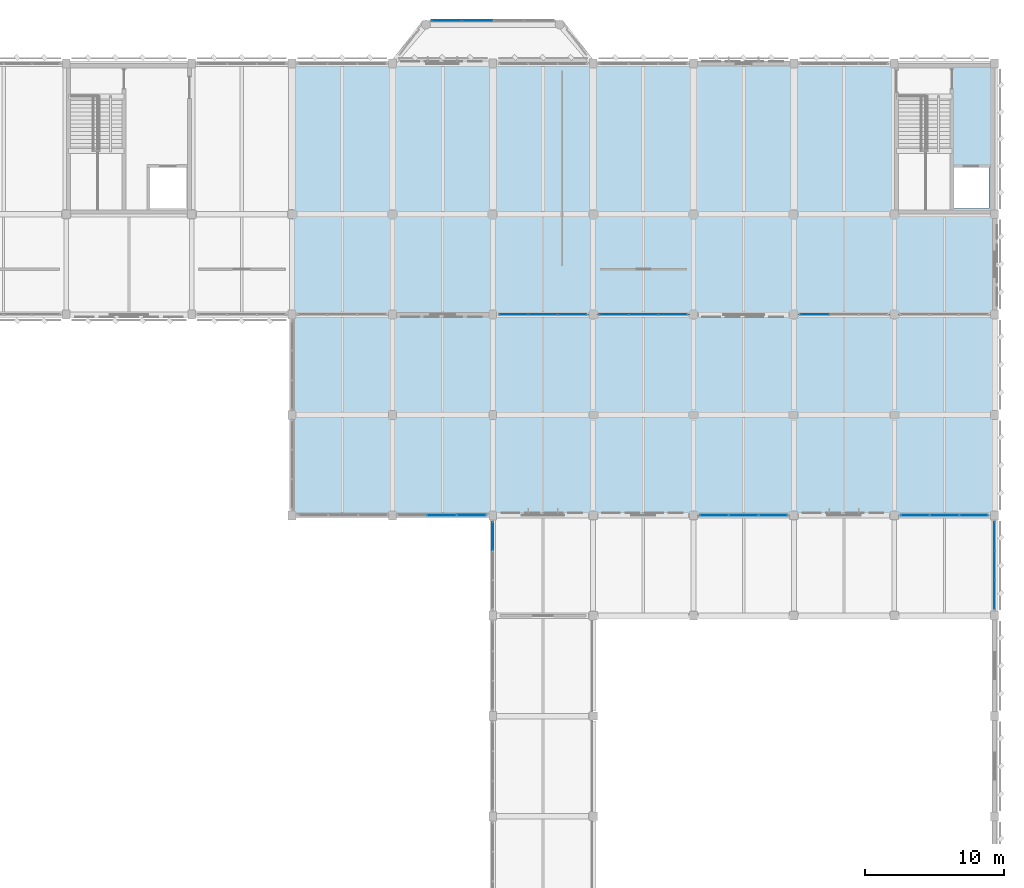
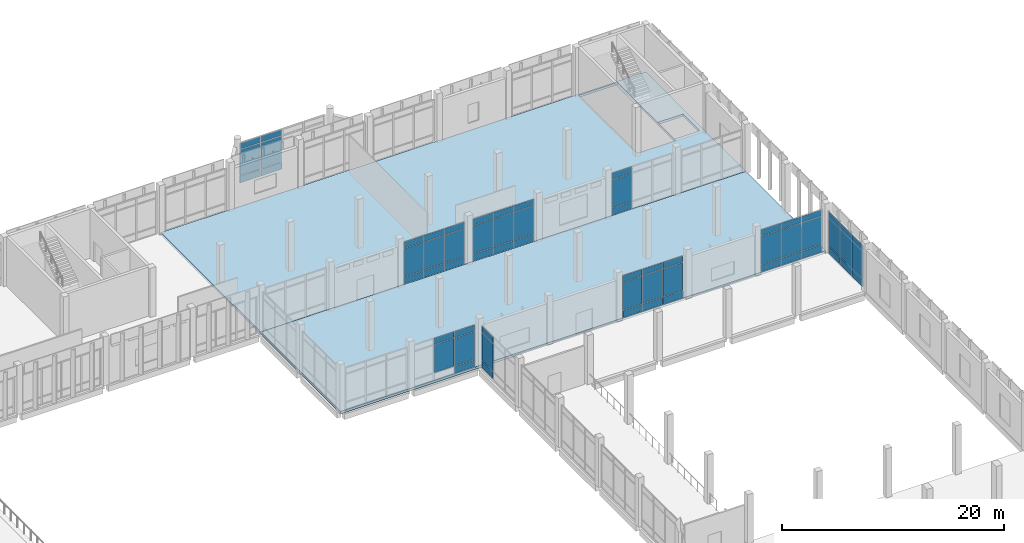
# One storey, part 151 of 180: 62 plates, 2 slabs, 9 elements without a shape of their own.
"""IFC4 building model written with IfcOpenShell, lengths in metres."""

from ifc_helpers import new_model, si_unit, direction, frame, origin, origin_2d, place, context, subcontext, project, spatial, polyline, rectangle, outline, extrude, material, layer, layer_set, type_object, element, aggregate, save


model = new_model("IFC4")

# Units and contexts
model_context = context("Model", 3, precision=1e-05, world=origin(), true_north=direction((0.0, 1.0)))
body_context = subcontext(model_context, "Body", "Model", "MODEL_VIEW")
ifc_project = project(units=[si_unit("LENGTHUNIT", "METRE"), si_unit("AREAUNIT", "SQUARE_METRE"), si_unit("VOLUMEUNIT", "CUBIC_METRE"), si_unit("PLANEANGLEUNIT", "RADIAN"), si_unit("MASSUNIT", "GRAM", prefix="KILO")], contexts=[model_context])

# Site, building, storey
site_placement = place(None, origin())
site = spatial("IfcSite", under=ifc_project, at=site_placement, CompositionType="ELEMENT")
building_placement = place(site_placement, origin())
building = spatial("IfcBuilding", under=site, at=building_placement, Name="Lusvemor Sports Hall", CompositionType="ELEMENT")
storey_placement = place(building_placement, frame((0.0, 0.0, 5.39990234375)))
storey = spatial("IfcBuildingStorey", under=building, at=storey_placement, Name="L01", CompositionType="ELEMENT", Elevation=5.39990234375)

# Curtain wall, plates
ifc_material_1 = material(Name="Thermally broken bronze-anodized aluminium", Category="aluminium")
curtain_wall_type_1 = type_object("IfcCurtainWallType", Name="CW_WING_B", PredefinedType="NOTDEFINED", material=ifc_material_1)
curtain_wall_1_placement = place(storey_placement, origin())
curtain_wall_1 = element("IfcCurtainWall", 1, at=curtain_wall_1_placement, inside=storey, type_object=curtain_wall_type_1, Name="Curtain Wall CW-L01-S-3-12", PredefinedType="NOTDEFINED")
ifc_material_2 = material(Name="Solar-control laminated double glazing", Category="glass")
ifc_layer_1 = layer(ifc_material_2, 0.028076171875)
ifc_layer_set_1 = layer_set([ifc_layer_1], Name="Solar-control laminated double glazing")
plate_type_1 = type_object("IfcPlateType", Name="CW_PAN_GLZ_28", PredefinedType="CURTAIN_PANEL", material=ifc_layer_set_1)
plate_1_placement = place(storey_placement, frame((138.90380859375, 97.199951171875, 0.880126953125), z_axis=(0.0, 0.0, 1.0), x_axis=(-1.0, 0.0, 0.0)))
plate_1 = element("IfcPlate", 2, at=plate_1_placement, type_object=plate_type_1, Name="CW02 panel 1.2", PredefinedType="CURTAIN_PANEL", context=body_context, shape_type="SweptSolid", body=[
    extrude(rectangle(XDim=2.0224609375, YDim=0.028076171875, at=origin_2d()), origin(), (0.0, 0.0, 1.0), 3.06005859375),
])
plate_2_placement = place(storey_placement, frame((138.90380859375, 97.199951171875, 4.0), z_axis=(0.0, 0.0, 1.0), x_axis=(-1.0, 0.0, 0.0)))
plate_2 = element("IfcPlate", 3, at=plate_2_placement, type_object=plate_type_1, Name="CW02 panel 1.3", PredefinedType="CURTAIN_PANEL", context=body_context, shape_type="SweptSolid", body=[
    extrude(rectangle(XDim=2.0224609375, YDim=0.028076171875, at=origin_2d()), origin(), (0.0, 0.0, 1.0), 0.659912109375),
])
plate_3_placement = place(storey_placement, frame((136.800048828125, 97.199951171875, 0.880126953125), z_axis=(0.0, 0.0, 1.0), x_axis=(-1.0, 0.0, 0.0)))
plate_3 = element("IfcPlate", 4, at=plate_3_placement, type_object=plate_type_1, Name="CW02 panel 2.2", PredefinedType="CURTAIN_PANEL", context=body_context, shape_type="SweptSolid", body=[
    extrude(rectangle(XDim=2.054931640625, YDim=0.028076171875, at=origin_2d()), origin(), (0.0, 0.0, 1.0), 3.06005859375),
])
plate_4_placement = place(storey_placement, frame((136.800048828125, 97.199951171875, 4.0), z_axis=(0.0, 0.0, 1.0), x_axis=(-1.0, 0.0, 0.0)))
plate_4 = element("IfcPlate", 5, at=plate_4_placement, type_object=plate_type_1, Name="CW02 panel 2.3", PredefinedType="CURTAIN_PANEL", context=body_context, shape_type="SweptSolid", body=[
    extrude(rectangle(XDim=2.054931640625, YDim=0.028076171875, at=origin_2d()), origin(), (0.0, 0.0, 1.0), 0.659912109375),
])
plate_5_placement = place(storey_placement, frame((134.6962890625, 97.199951171875, 0.880126953125), z_axis=(0.0, 0.0, 1.0), x_axis=(-1.0, 0.0, 0.0)))
plate_5 = element("IfcPlate", 6, at=plate_5_placement, type_object=plate_type_1, Name="CW02 panel 3.2", PredefinedType="CURTAIN_PANEL", context=body_context, shape_type="SweptSolid", body=[
    extrude(rectangle(XDim=2.0224609375, YDim=0.028076171875, at=origin_2d()), origin(), (0.0, 0.0, 1.0), 3.06005859375),
])
plate_6_placement = place(storey_placement, frame((134.6962890625, 97.199951171875, 4.0), z_axis=(0.0, 0.0, 1.0), x_axis=(-1.0, 0.0, 0.0)))
plate_6 = element("IfcPlate", 7, at=plate_6_placement, type_object=plate_type_1, Name="CW02 panel 3.3", PredefinedType="CURTAIN_PANEL", context=body_context, shape_type="SweptSolid", body=[
    extrude(rectangle(XDim=2.0224609375, YDim=0.028076171875, at=origin_2d()), origin(), (0.0, 0.0, 1.0), 0.659912109375),
])

curtain_wall_2_placement = place(storey_placement, origin())
curtain_wall_2 = element("IfcCurtainWall", 8, at=curtain_wall_2_placement, inside=storey, type_object=curtain_wall_type_1, Name="Curtain Wall CW-L01-S-3-13", PredefinedType="NOTDEFINED")
plate_7_placement = place(storey_placement, frame((146.103759765625, 97.199951171875, 0.880126953125), z_axis=(0.0, 0.0, 1.0), x_axis=(-1.0, 0.0, 0.0)))
plate_7 = element("IfcPlate", 9, at=plate_7_placement, type_object=plate_type_1, Name="CW02 panel 1.2", PredefinedType="CURTAIN_PANEL", context=body_context, shape_type="SweptSolid", body=[
    extrude(rectangle(XDim=2.0224609375, YDim=0.028076171875, at=origin_2d()), origin(), (0.0, 0.0, 1.0), 3.06005859375),
])
plate_8_placement = place(storey_placement, frame((146.103759765625, 97.199951171875, 4.0), z_axis=(0.0, 0.0, 1.0), x_axis=(-1.0, 0.0, 0.0)))
plate_8 = element("IfcPlate", 10, at=plate_8_placement, type_object=plate_type_1, Name="CW02 panel 1.3", PredefinedType="CURTAIN_PANEL", context=body_context, shape_type="SweptSolid", body=[
    extrude(rectangle(XDim=2.0224609375, YDim=0.028076171875, at=origin_2d()), origin(), (0.0, 0.0, 1.0), 0.659912109375),
])
plate_9_placement = place(storey_placement, frame((144.0, 97.199951171875, 0.880126953125), z_axis=(0.0, 0.0, 1.0), x_axis=(-1.0, 0.0, 0.0)))
plate_9 = element("IfcPlate", 11, at=plate_9_placement, type_object=plate_type_1, Name="CW02 panel 2.2", PredefinedType="CURTAIN_PANEL", context=body_context, shape_type="SweptSolid", body=[
    extrude(rectangle(XDim=2.054931640625, YDim=0.028076171875, at=origin_2d()), origin(), (0.0, 0.0, 1.0), 3.06005859375),
])
plate_10_placement = place(storey_placement, frame((144.0, 97.199951171875, 4.0), z_axis=(0.0, 0.0, 1.0), x_axis=(-1.0, 0.0, 0.0)))
plate_10 = element("IfcPlate", 12, at=plate_10_placement, type_object=plate_type_1, Name="CW02 panel 2.3", PredefinedType="CURTAIN_PANEL", context=body_context, shape_type="SweptSolid", body=[
    extrude(rectangle(XDim=2.054931640625, YDim=0.028076171875, at=origin_2d()), origin(), (0.0, 0.0, 1.0), 0.659912109375),
])
plate_11_placement = place(storey_placement, frame((141.896240234375, 97.199951171875, 0.880126953125), z_axis=(0.0, 0.0, 1.0), x_axis=(-1.0, 0.0, 0.0)))
plate_11 = element("IfcPlate", 13, at=plate_11_placement, type_object=plate_type_1, Name="CW02 panel 3.2", PredefinedType="CURTAIN_PANEL", context=body_context, shape_type="SweptSolid", body=[
    extrude(rectangle(XDim=2.0224609375, YDim=0.028076171875, at=origin_2d()), origin(), (0.0, 0.0, 1.0), 3.06005859375),
])
plate_12_placement = place(storey_placement, frame((141.896240234375, 97.199951171875, 4.0), z_axis=(0.0, 0.0, 1.0), x_axis=(-1.0, 0.0, 0.0)))
plate_12 = element("IfcPlate", 14, at=plate_12_placement, type_object=plate_type_1, Name="CW02 panel 3.3", PredefinedType="CURTAIN_PANEL", context=body_context, shape_type="SweptSolid", body=[
    extrude(rectangle(XDim=2.0224609375, YDim=0.028076171875, at=origin_2d()), origin(), (0.0, 0.0, 1.0), 0.659912109375),
])

curtain_wall_3_placement = place(storey_placement, origin())
curtain_wall_3 = element("IfcCurtainWall", 15, at=curtain_wall_3_placement, inside=storey, type_object=curtain_wall_type_1, Name="Curtain Wall CW-L01-S-3-15", PredefinedType="NOTDEFINED")
plate_13_placement = place(storey_placement, frame((156.296142578125, 97.199951171875, 0.880126953125), z_axis=(0.0, 0.0, 1.0), x_axis=(-1.0, 0.0, 0.0)))
plate_13 = element("IfcPlate", 16, at=plate_13_placement, type_object=plate_type_1, Name="CW02 panel 3.2", PredefinedType="CURTAIN_PANEL", context=body_context, shape_type="SweptSolid", body=[
    extrude(rectangle(XDim=2.0224609375, YDim=0.028076171875, at=origin_2d()), origin(), (0.0, 0.0, 1.0), 3.06005859375),
])
plate_14_placement = place(storey_placement, frame((156.296142578125, 97.199951171875, 4.0), z_axis=(0.0, 0.0, 1.0), x_axis=(-1.0, 0.0, 0.0)))
plate_14 = element("IfcPlate", 17, at=plate_14_placement, type_object=plate_type_1, Name="CW02 panel 3.3", PredefinedType="CURTAIN_PANEL", context=body_context, shape_type="SweptSolid", body=[
    extrude(rectangle(XDim=2.0224609375, YDim=0.028076171875, at=origin_2d()), origin(), (0.0, 0.0, 1.0), 0.659912109375),
])

curtain_wall_4_placement = place(storey_placement, origin())
curtain_wall_4 = element("IfcCurtainWall", 18, at=curtain_wall_4_placement, inside=storey, type_object=curtain_wall_type_1, Name="Curtain Wall CW-L01-N-5-2", PredefinedType="NOTDEFINED")
plate_15_placement = place(storey_placement, frame((149.09619140625, 82.800048828125, 0.880126953125), z_axis=(0.0, 0.0, 1.0), x_axis=(1.0, 0.0, 0.0)))
plate_15 = element("IfcPlate", 19, at=plate_15_placement, type_object=plate_type_1, Name="CW02 panel 1.2", PredefinedType="CURTAIN_PANEL", context=body_context, shape_type="SweptSolid", body=[
    extrude(rectangle(XDim=2.0224609375, YDim=0.028076171875, at=origin_2d()), origin(), (0.0, 0.0, 1.0), 3.06005859375),
])
plate_16_placement = place(storey_placement, frame((149.09619140625, 82.800048828125, 4.0), z_axis=(0.0, 0.0, 1.0), x_axis=(1.0, 0.0, 0.0)))
plate_16 = element("IfcPlate", 20, at=plate_16_placement, type_object=plate_type_1, Name="CW02 panel 1.3", PredefinedType="CURTAIN_PANEL", context=body_context, shape_type="SweptSolid", body=[
    extrude(rectangle(XDim=2.0224609375, YDim=0.028076171875, at=origin_2d()), origin(), (0.0, 0.0, 1.0), 0.659912109375),
])
plate_17_placement = place(storey_placement, frame((151.199951171875, 82.800048828125, 0.880126953125), z_axis=(0.0, 0.0, 1.0), x_axis=(1.0, 0.0, 0.0)))
plate_17 = element("IfcPlate", 21, at=plate_17_placement, type_object=plate_type_1, Name="CW02 panel 2.2", PredefinedType="CURTAIN_PANEL", context=body_context, shape_type="SweptSolid", body=[
    extrude(rectangle(XDim=2.054931640625, YDim=0.028076171875, at=origin_2d()), origin(), (0.0, 0.0, 1.0), 3.06005859375),
])
plate_18_placement = place(storey_placement, frame((151.199951171875, 82.800048828125, 4.0), z_axis=(0.0, 0.0, 1.0), x_axis=(1.0, 0.0, 0.0)))
plate_18 = element("IfcPlate", 22, at=plate_18_placement, type_object=plate_type_1, Name="CW02 panel 2.3", PredefinedType="CURTAIN_PANEL", context=body_context, shape_type="SweptSolid", body=[
    extrude(rectangle(XDim=2.054931640625, YDim=0.028076171875, at=origin_2d()), origin(), (0.0, 0.0, 1.0), 0.659912109375),
])
plate_19_placement = place(storey_placement, frame((153.3037109375, 82.800048828125, 0.880126953125), z_axis=(0.0, 0.0, 1.0), x_axis=(1.0, 0.0, 0.0)))
plate_19 = element("IfcPlate", 23, at=plate_19_placement, type_object=plate_type_1, Name="CW02 panel 3.2", PredefinedType="CURTAIN_PANEL", context=body_context, shape_type="SweptSolid", body=[
    extrude(rectangle(XDim=2.0224609375, YDim=0.028076171875, at=origin_2d()), origin(), (0.0, 0.0, 1.0), 3.06005859375),
])
plate_20_placement = place(storey_placement, frame((153.3037109375, 82.800048828125, 4.0), z_axis=(0.0, 0.0, 1.0), x_axis=(1.0, 0.0, 0.0)))
plate_20 = element("IfcPlate", 24, at=plate_20_placement, type_object=plate_type_1, Name="CW02 panel 3.3", PredefinedType="CURTAIN_PANEL", context=body_context, shape_type="SweptSolid", body=[
    extrude(rectangle(XDim=2.0224609375, YDim=0.028076171875, at=origin_2d()), origin(), (0.0, 0.0, 1.0), 0.659912109375),
])

curtain_wall_5_placement = place(storey_placement, origin())
curtain_wall_5 = element("IfcCurtainWall", 25, at=curtain_wall_5_placement, inside=storey, type_object=curtain_wall_type_1, Name="Curtain Wall CW-L01-N-5-4", PredefinedType="NOTDEFINED")
plate_21_placement = place(storey_placement, frame((163.496337890625, 82.800048828125, 0.880126953125), z_axis=(0.0, 0.0, 1.0), x_axis=(1.0, 0.0, 0.0)))
plate_21 = element("IfcPlate", 26, at=plate_21_placement, type_object=plate_type_1, Name="CW02 panel 1.2", PredefinedType="CURTAIN_PANEL", context=body_context, shape_type="SweptSolid", body=[
    extrude(rectangle(XDim=2.0224609375, YDim=0.028076171875, at=origin_2d()), origin(), (0.0, 0.0, 1.0), 3.06005859375),
])
plate_22_placement = place(storey_placement, frame((163.496337890625, 82.800048828125, 4.0), z_axis=(0.0, 0.0, 1.0), x_axis=(1.0, 0.0, 0.0)))
plate_22 = element("IfcPlate", 27, at=plate_22_placement, type_object=plate_type_1, Name="CW02 panel 1.3", PredefinedType="CURTAIN_PANEL", context=body_context, shape_type="SweptSolid", body=[
    extrude(rectangle(XDim=2.0224609375, YDim=0.028076171875, at=origin_2d()), origin(), (0.0, 0.0, 1.0), 0.659912109375),
])
plate_23_placement = place(storey_placement, frame((165.60009765625, 82.800048828125, 0.880126953125), z_axis=(0.0, 0.0, 1.0), x_axis=(1.0, 0.0, 0.0)))
plate_23 = element("IfcPlate", 28, at=plate_23_placement, type_object=plate_type_1, Name="CW02 panel 2.2", PredefinedType="CURTAIN_PANEL", context=body_context, shape_type="SweptSolid", body=[
    extrude(rectangle(XDim=2.054931640625, YDim=0.028076171875, at=origin_2d()), origin(), (0.0, 0.0, 1.0), 3.06005859375),
])
plate_24_placement = place(storey_placement, frame((165.60009765625, 82.800048828125, 4.0), z_axis=(0.0, 0.0, 1.0), x_axis=(1.0, 0.0, 0.0)))
plate_24 = element("IfcPlate", 29, at=plate_24_placement, type_object=plate_type_1, Name="CW02 panel 2.3", PredefinedType="CURTAIN_PANEL", context=body_context, shape_type="SweptSolid", body=[
    extrude(rectangle(XDim=2.054931640625, YDim=0.028076171875, at=origin_2d()), origin(), (0.0, 0.0, 1.0), 0.659912109375),
])
plate_25_placement = place(storey_placement, frame((167.703857421875, 82.800048828125, 0.880126953125), z_axis=(0.0, 0.0, 1.0), x_axis=(1.0, 0.0, 0.0)))
plate_25 = element("IfcPlate", 30, at=plate_25_placement, type_object=plate_type_1, Name="CW02 panel 3.2", PredefinedType="CURTAIN_PANEL", context=body_context, shape_type="SweptSolid", body=[
    extrude(rectangle(XDim=2.0224609375, YDim=0.028076171875, at=origin_2d()), origin(), (0.0, 0.0, 1.0), 3.06005859375),
])
plate_26_placement = place(storey_placement, frame((167.703857421875, 82.800048828125, 4.0), z_axis=(0.0, 0.0, 1.0), x_axis=(1.0, 0.0, 0.0)))
plate_26 = element("IfcPlate", 31, at=plate_26_placement, type_object=plate_type_1, Name="CW02 panel 3.3", PredefinedType="CURTAIN_PANEL", context=body_context, shape_type="SweptSolid", body=[
    extrude(rectangle(XDim=2.0224609375, YDim=0.028076171875, at=origin_2d()), origin(), (0.0, 0.0, 1.0), 0.659912109375),
])

ifc_material_3 = material(Name="Thermally broken bronze-anodized aluminium", Category="aluminium")
curtain_wall_type_2 = type_object("IfcCurtainWallType", Name="CW_PASSAGE_E", PredefinedType="NOTDEFINED", material=ifc_material_3)
curtain_wall_6_placement = place(storey_placement, origin())
curtain_wall_6 = element("IfcCurtainWall", 32, at=curtain_wall_6_placement, inside=storey, type_object=curtain_wall_type_2, Name="Curtain Wall CW-NLINK-133-L01", PredefinedType="NOTDEFINED")
plate_27_placement = place(storey_placement, frame((133.199951171875, 81.29052734375, 0.880126953125), z_axis=(0.0, 0.0, 1.0), x_axis=(0.0, 1.0, 0.0)))
plate_27 = element("IfcPlate", 33, at=plate_27_placement, type_object=plate_type_1, Name="CW05 panel 3.2", PredefinedType="CURTAIN_PANEL", context=body_context, shape_type="SweptSolid", body=[
    extrude(rectangle(XDim=2.00927734375, YDim=0.028076171875, at=origin_2d()), origin(), (0.0, 0.0, 1.0), 3.0400390625),
])
plate_28_placement = place(storey_placement, frame((133.199951171875, 81.29052734375, 3.97998046875), z_axis=(0.0, 0.0, 1.0), x_axis=(0.0, 1.0, 0.0)))
plate_28 = element("IfcPlate", 34, at=plate_28_placement, type_object=plate_type_1, Name="CW05 panel 3.3", PredefinedType="CURTAIN_PANEL", context=body_context, shape_type="SweptSolid", body=[
    extrude(rectangle(XDim=2.00927734375, YDim=0.028076171875, at=origin_2d()), origin(), (0.0, 0.0, 1.0), 0.659912109375),
])

curtain_wall_7_placement = place(storey_placement, origin())
curtain_wall_7 = element("IfcCurtainWall", 35, at=curtain_wall_7_placement, inside=storey, type_object=curtain_wall_type_2, Name="Curtain Wall CW-NLINK-169-L01", PredefinedType="NOTDEFINED")
plate_29_placement = place(storey_placement, frame((169.199951171875, 77.109619140625, 0.880126953125), z_axis=(0.0, 0.0, 1.0), x_axis=(0.0, 1.0, 0.0)))
plate_29 = element("IfcPlate", 36, at=plate_29_placement, type_object=plate_type_1, Name="CW05 panel 1.2", PredefinedType="CURTAIN_PANEL", context=body_context, shape_type="SweptSolid", body=[
    extrude(rectangle(XDim=2.00927734375, YDim=0.028076171875, at=origin_2d()), origin(), (0.0, 0.0, 1.0), 3.0400390625),
])
plate_30_placement = place(storey_placement, frame((169.199951171875, 77.109619140625, 3.97998046875), z_axis=(0.0, 0.0, 1.0), x_axis=(0.0, 1.0, 0.0)))
plate_30 = element("IfcPlate", 37, at=plate_30_placement, type_object=plate_type_1, Name="CW05 panel 1.3", PredefinedType="CURTAIN_PANEL", context=body_context, shape_type="SweptSolid", body=[
    extrude(rectangle(XDim=2.00927734375, YDim=0.028076171875, at=origin_2d()), origin(), (0.0, 0.0, 1.0), 0.659912109375),
])
plate_31_placement = place(storey_placement, frame((169.199951171875, 79.199951171875, 0.880126953125), z_axis=(0.0, 0.0, 1.0), x_axis=(0.0, 1.0, 0.0)))
plate_31 = element("IfcPlate", 38, at=plate_31_placement, type_object=plate_type_1, Name="CW05 panel 2.2", PredefinedType="CURTAIN_PANEL", context=body_context, shape_type="SweptSolid", body=[
    extrude(rectangle(XDim=2.041748046875, YDim=0.028076171875, at=origin_2d()), origin(), (0.0, 0.0, 1.0), 3.0400390625),
])
plate_32_placement = place(storey_placement, frame((169.199951171875, 79.199951171875, 3.97998046875), z_axis=(0.0, 0.0, 1.0), x_axis=(0.0, 1.0, 0.0)))
plate_32 = element("IfcPlate", 39, at=plate_32_placement, type_object=plate_type_1, Name="CW05 panel 2.3", PredefinedType="CURTAIN_PANEL", context=body_context, shape_type="SweptSolid", body=[
    extrude(rectangle(XDim=2.041748046875, YDim=0.028076171875, at=origin_2d()), origin(), (0.0, 0.0, 1.0), 0.659912109375),
])
plate_33_placement = place(storey_placement, frame((169.199951171875, 81.29052734375, 0.880126953125), z_axis=(0.0, 0.0, 1.0), x_axis=(0.0, 1.0, 0.0)))
plate_33 = element("IfcPlate", 40, at=plate_33_placement, type_object=plate_type_1, Name="CW05 panel 3.2", PredefinedType="CURTAIN_PANEL", context=body_context, shape_type="SweptSolid", body=[
    extrude(rectangle(XDim=2.00927734375, YDim=0.028076171875, at=origin_2d()), origin(), (0.0, 0.0, 1.0), 3.0400390625),
])
plate_34_placement = place(storey_placement, frame((169.199951171875, 81.29052734375, 3.97998046875), z_axis=(0.0, 0.0, 1.0), x_axis=(0.0, 1.0, 0.0)))
plate_34 = element("IfcPlate", 41, at=plate_34_placement, type_object=plate_type_1, Name="CW05 panel 3.3", PredefinedType="CURTAIN_PANEL", context=body_context, shape_type="SweptSolid", body=[
    extrude(rectangle(XDim=2.00927734375, YDim=0.028076171875, at=origin_2d()), origin(), (0.0, 0.0, 1.0), 0.659912109375),
])

ifc_material_4 = material(Name="Thermally broken bronze-anodized aluminium", Category="aluminium")
curtain_wall_type_3 = type_object("IfcCurtainWallType", Name="CW_FOYER_A", PredefinedType="NOTDEFINED", material=ifc_material_4)
curtain_wall_8_placement = place(storey_placement, origin())
curtain_wall_8 = element("IfcCurtainWall", 42, at=curtain_wall_8_placement, inside=storey, type_object=curtain_wall_type_3, Name="Curtain Wall CW-BOW-N3-L01-M", PredefinedType="NOTDEFINED")
plate_35_placement = place(storey_placement, frame((129.8798828125, 118.300048828125, 0.882568359375), z_axis=(0.0, 0.0, 1.0), x_axis=(1.0, 0.0, 0.0)))
plate_35 = element("IfcPlate", 43, at=plate_35_placement, type_object=plate_type_1, Name="CW01 panel 1.2", PredefinedType="CURTAIN_PANEL", context=body_context, shape_type="SweptSolid", body=[
    extrude(rectangle(XDim=2.1201171875, YDim=0.028076171875, at=origin_2d()), origin(), (0.0, 0.0, 1.0), 2.81494140625),
])
plate_36_placement = place(storey_placement, frame((129.8798828125, 118.300048828125, 3.7626953125), z_axis=(0.0, 0.0, 1.0), x_axis=(1.0, 0.0, 0.0)))
plate_36 = element("IfcPlate", 44, at=plate_36_placement, type_object=plate_type_1, Name="CW01 panel 1.3", PredefinedType="CURTAIN_PANEL", context=body_context, shape_type="SweptSolid", body=[
    extrude(rectangle(XDim=2.1201171875, YDim=0.028076171875, at=origin_2d()), origin(), (0.0, 0.0, 1.0), 0.652587890625),
])
plate_37_placement = place(storey_placement, frame((132.08740234375, 118.300048828125, 0.882568359375), z_axis=(0.0, 0.0, 1.0), x_axis=(1.0, 0.0, 0.0)))
plate_37 = element("IfcPlate", 45, at=plate_37_placement, type_object=plate_type_1, Name="CW01 panel 2.2", PredefinedType="CURTAIN_PANEL", context=body_context, shape_type="SweptSolid", body=[
    extrude(rectangle(XDim=2.155029296875, YDim=0.028076171875, at=origin_2d()), origin(), (0.0, 0.0, 1.0), 2.81494140625),
])
plate_38_placement = place(storey_placement, frame((132.08740234375, 118.300048828125, 3.7626953125), z_axis=(0.0, 0.0, 1.0), x_axis=(1.0, 0.0, 0.0)))
plate_38 = element("IfcPlate", 46, at=plate_38_placement, type_object=plate_type_1, Name="CW01 panel 2.3", PredefinedType="CURTAIN_PANEL", context=body_context, shape_type="SweptSolid", body=[
    extrude(rectangle(XDim=2.155029296875, YDim=0.028076171875, at=origin_2d()), origin(), (0.0, 0.0, 1.0), 0.652587890625),
])

curtain_wall_9_placement = place(storey_placement, origin())
curtain_wall_9 = element("IfcCurtainWall", 47, at=curtain_wall_9_placement, inside=storey, type_object=curtain_wall_type_1, Name="Curtain Wall CW-V5NE-S-L01-A", PredefinedType="NOTDEFINED")
plate_39_placement = place(storey_placement, frame((131.668701171875, 82.800048828125, 0.880126953125), z_axis=(0.0, 0.0, 1.0), x_axis=(-1.0, 0.0, 0.0)))
plate_39 = element("IfcPlate", 48, at=plate_39_placement, type_object=plate_type_1, Name="CW02 panel 1.2", PredefinedType="CURTAIN_PANEL", context=body_context, shape_type="SweptSolid", body=[
    extrude(rectangle(XDim=2.052490234375, YDim=0.028076171875, at=origin_2d()), origin(), (0.0, 0.0, 1.0), 3.0400390625),
])
plate_40_placement = place(storey_placement, frame((131.668701171875, 82.800048828125, 3.97998046875), z_axis=(0.0, 0.0, 1.0), x_axis=(-1.0, 0.0, 0.0)))
plate_40 = element("IfcPlate", 49, at=plate_40_placement, type_object=plate_type_1, Name="CW02 panel 1.3", PredefinedType="CURTAIN_PANEL", context=body_context, shape_type="SweptSolid", body=[
    extrude(rectangle(XDim=2.052490234375, YDim=0.028076171875, at=origin_2d()), origin(), (0.0, 0.0, 1.0), 0.659912109375),
])
plate_41_placement = place(storey_placement, frame((129.534912109375, 82.800048828125, 0.880126953125), z_axis=(0.0, 0.0, 1.0), x_axis=(-1.0, 0.0, 0.0)))
plate_41 = element("IfcPlate", 50, at=plate_41_placement, type_object=plate_type_1, Name="CW02 panel 2.2", PredefinedType="CURTAIN_PANEL", context=body_context, shape_type="SweptSolid", body=[
    extrude(rectangle(XDim=2.0849609375, YDim=0.028076171875, at=origin_2d()), origin(), (0.0, 0.0, 1.0), 3.0400390625),
])
plate_42_placement = place(storey_placement, frame((129.534912109375, 82.800048828125, 3.97998046875), z_axis=(0.0, 0.0, 1.0), x_axis=(-1.0, 0.0, 0.0)))
plate_42 = element("IfcPlate", 51, at=plate_42_placement, type_object=plate_type_1, Name="CW02 panel 2.3", PredefinedType="CURTAIN_PANEL", context=body_context, shape_type="SweptSolid", body=[
    extrude(rectangle(XDim=2.0849609375, YDim=0.028076171875, at=origin_2d()), origin(), (0.0, 0.0, 1.0), 0.659912109375),
])

# Plate
ifc_material_5 = material(Name="Emerald polychrome glazed ceramic cladding on Concrete C40/50 backing", Category="concrete")
ifc_layer_2 = layer(ifc_material_5, 0.048095703125)
ifc_layer_set_2 = layer_set([ifc_layer_2], Name="Emerald polychrome glazed ceramic cladding on Concrete C40/50 backing")
plate_type_2 = type_object("IfcPlateType", Name="CW_PAN_SPN_48", PredefinedType="CURTAIN_PANEL", material=ifc_layer_set_2)
plate_43_placement = place(storey_placement, frame((138.90380859375, 97.199951171875, 0.06005859375), z_axis=(0.0, 0.0, 1.0), x_axis=(-1.0, 0.0, 0.0)))
plate_43 = element("IfcPlate", 52, at=plate_43_placement, type_object=plate_type_2, Name="CW02 panel 1.1", PredefinedType="CURTAIN_PANEL", context=body_context, shape_type="SweptSolid", body=[
    extrude(rectangle(XDim=2.0224609375, YDim=0.048095703125, at=origin_2d()), origin(), (0.0, 0.0, 1.0), 0.760009765625),
])

plate_44_placement = place(storey_placement, frame((136.800048828125, 97.199951171875, 0.06005859375), z_axis=(0.0, 0.0, 1.0), x_axis=(-1.0, 0.0, 0.0)))
plate_44 = element("IfcPlate", 53, at=plate_44_placement, type_object=plate_type_2, Name="CW02 panel 2.1", PredefinedType="CURTAIN_PANEL", context=body_context, shape_type="SweptSolid", body=[
    extrude(rectangle(XDim=2.054931640625, YDim=0.048095703125, at=origin_2d()), origin(), (0.0, 0.0, 1.0), 0.760009765625),
])

plate_45_placement = place(storey_placement, frame((134.6962890625, 97.199951171875, 0.06005859375), z_axis=(0.0, 0.0, 1.0), x_axis=(-1.0, 0.0, 0.0)))
plate_45 = element("IfcPlate", 54, at=plate_45_placement, type_object=plate_type_2, Name="CW02 panel 3.1", PredefinedType="CURTAIN_PANEL", context=body_context, shape_type="SweptSolid", body=[
    extrude(rectangle(XDim=2.0224609375, YDim=0.048095703125, at=origin_2d()), origin(), (0.0, 0.0, 1.0), 0.760009765625),
])

aggregate(curtain_wall_1, [plate_43, plate_1, plate_2, plate_44, plate_3, plate_4, plate_45, plate_5, plate_6])

plate_46_placement = place(storey_placement, frame((146.103759765625, 97.199951171875, 0.06005859375), z_axis=(0.0, 0.0, 1.0), x_axis=(-1.0, 0.0, 0.0)))
plate_46 = element("IfcPlate", 55, at=plate_46_placement, type_object=plate_type_2, Name="CW02 panel 1.1", PredefinedType="CURTAIN_PANEL", context=body_context, shape_type="SweptSolid", body=[
    extrude(rectangle(XDim=2.0224609375, YDim=0.048095703125, at=origin_2d()), origin(), (0.0, 0.0, 1.0), 0.760009765625),
])

plate_47_placement = place(storey_placement, frame((144.0, 97.199951171875, 0.06005859375), z_axis=(0.0, 0.0, 1.0), x_axis=(-1.0, 0.0, 0.0)))
plate_47 = element("IfcPlate", 56, at=plate_47_placement, type_object=plate_type_2, Name="CW02 panel 2.1", PredefinedType="CURTAIN_PANEL", context=body_context, shape_type="SweptSolid", body=[
    extrude(rectangle(XDim=2.054931640625, YDim=0.048095703125, at=origin_2d()), origin(), (0.0, 0.0, 1.0), 0.760009765625),
])

plate_48_placement = place(storey_placement, frame((141.896240234375, 97.199951171875, 0.06005859375), z_axis=(0.0, 0.0, 1.0), x_axis=(-1.0, 0.0, 0.0)))
plate_48 = element("IfcPlate", 57, at=plate_48_placement, type_object=plate_type_2, Name="CW02 panel 3.1", PredefinedType="CURTAIN_PANEL", context=body_context, shape_type="SweptSolid", body=[
    extrude(rectangle(XDim=2.0224609375, YDim=0.048095703125, at=origin_2d()), origin(), (0.0, 0.0, 1.0), 0.760009765625),
])

aggregate(curtain_wall_2, [plate_46, plate_7, plate_8, plate_47, plate_9, plate_10, plate_48, plate_11, plate_12])

plate_49_placement = place(storey_placement, frame((156.296142578125, 97.199951171875, 0.06005859375), z_axis=(0.0, 0.0, 1.0), x_axis=(-1.0, 0.0, 0.0)))
plate_49 = element("IfcPlate", 58, at=plate_49_placement, type_object=plate_type_2, Name="CW02 panel 3.1", PredefinedType="CURTAIN_PANEL", context=body_context, shape_type="SweptSolid", body=[
    extrude(rectangle(XDim=2.0224609375, YDim=0.048095703125, at=origin_2d()), origin(), (0.0, 0.0, 1.0), 0.760009765625),
])

aggregate(curtain_wall_3, [plate_49, plate_13, plate_14])

plate_50_placement = place(storey_placement, frame((149.09619140625, 82.800048828125, 0.06005859375), z_axis=(0.0, 0.0, 1.0), x_axis=(1.0, 0.0, 0.0)))
plate_50 = element("IfcPlate", 59, at=plate_50_placement, type_object=plate_type_2, Name="CW02 panel 1.1", PredefinedType="CURTAIN_PANEL", context=body_context, shape_type="SweptSolid", body=[
    extrude(rectangle(XDim=2.0224609375, YDim=0.048095703125, at=origin_2d()), origin(), (0.0, 0.0, 1.0), 0.760009765625),
])

plate_51_placement = place(storey_placement, frame((151.199951171875, 82.800048828125, 0.06005859375), z_axis=(0.0, 0.0, 1.0), x_axis=(1.0, 0.0, 0.0)))
plate_51 = element("IfcPlate", 60, at=plate_51_placement, type_object=plate_type_2, Name="CW02 panel 2.1", PredefinedType="CURTAIN_PANEL", context=body_context, shape_type="SweptSolid", body=[
    extrude(rectangle(XDim=2.054931640625, YDim=0.048095703125, at=origin_2d()), origin(), (0.0, 0.0, 1.0), 0.760009765625),
])

plate_52_placement = place(storey_placement, frame((153.3037109375, 82.800048828125, 0.06005859375), z_axis=(0.0, 0.0, 1.0), x_axis=(1.0, 0.0, 0.0)))
plate_52 = element("IfcPlate", 61, at=plate_52_placement, type_object=plate_type_2, Name="CW02 panel 3.1", PredefinedType="CURTAIN_PANEL", context=body_context, shape_type="SweptSolid", body=[
    extrude(rectangle(XDim=2.0224609375, YDim=0.048095703125, at=origin_2d()), origin(), (0.0, 0.0, 1.0), 0.760009765625),
])

aggregate(curtain_wall_4, [plate_50, plate_15, plate_16, plate_51, plate_17, plate_18, plate_52, plate_19, plate_20])

plate_53_placement = place(storey_placement, frame((163.496337890625, 82.800048828125, 0.06005859375), z_axis=(0.0, 0.0, 1.0), x_axis=(1.0, 0.0, 0.0)))
plate_53 = element("IfcPlate", 62, at=plate_53_placement, type_object=plate_type_2, Name="CW02 panel 1.1", PredefinedType="CURTAIN_PANEL", context=body_context, shape_type="SweptSolid", body=[
    extrude(rectangle(XDim=2.0224609375, YDim=0.048095703125, at=origin_2d()), origin(), (0.0, 0.0, 1.0), 0.760009765625),
])

plate_54_placement = place(storey_placement, frame((165.60009765625, 82.800048828125, 0.06005859375), z_axis=(0.0, 0.0, 1.0), x_axis=(1.0, 0.0, 0.0)))
plate_54 = element("IfcPlate", 63, at=plate_54_placement, type_object=plate_type_2, Name="CW02 panel 2.1", PredefinedType="CURTAIN_PANEL", context=body_context, shape_type="SweptSolid", body=[
    extrude(rectangle(XDim=2.054931640625, YDim=0.048095703125, at=origin_2d()), origin(), (0.0, 0.0, 1.0), 0.760009765625),
])

plate_55_placement = place(storey_placement, frame((167.703857421875, 82.800048828125, 0.06005859375), z_axis=(0.0, 0.0, 1.0), x_axis=(1.0, 0.0, 0.0)))
plate_55 = element("IfcPlate", 64, at=plate_55_placement, type_object=plate_type_2, Name="CW02 panel 3.1", PredefinedType="CURTAIN_PANEL", context=body_context, shape_type="SweptSolid", body=[
    extrude(rectangle(XDim=2.0224609375, YDim=0.048095703125, at=origin_2d()), origin(), (0.0, 0.0, 1.0), 0.760009765625),
])

aggregate(curtain_wall_5, [plate_53, plate_21, plate_22, plate_54, plate_23, plate_24, plate_55, plate_25, plate_26])

plate_56_placement = place(storey_placement, frame((133.199951171875, 81.29052734375, 0.06005859375), z_axis=(0.0, 0.0, 1.0), x_axis=(0.0, 1.0, 0.0)))
plate_56 = element("IfcPlate", 65, at=plate_56_placement, type_object=plate_type_2, Name="CW05 panel 3.1", PredefinedType="CURTAIN_PANEL", context=body_context, shape_type="SweptSolid", body=[
    extrude(rectangle(XDim=2.00927734375, YDim=0.048095703125, at=origin_2d()), origin(), (0.0, 0.0, 1.0), 0.760009765625),
])

aggregate(curtain_wall_6, [plate_56, plate_27, plate_28])

plate_57_placement = place(storey_placement, frame((169.199951171875, 77.109619140625, 0.06005859375), z_axis=(0.0, 0.0, 1.0), x_axis=(0.0, 1.0, 0.0)))
plate_57 = element("IfcPlate", 66, at=plate_57_placement, type_object=plate_type_2, Name="CW05 panel 1.1", PredefinedType="CURTAIN_PANEL", context=body_context, shape_type="SweptSolid", body=[
    extrude(rectangle(XDim=2.00927734375, YDim=0.048095703125, at=origin_2d()), origin(), (0.0, 0.0, 1.0), 0.760009765625),
])

plate_58_placement = place(storey_placement, frame((169.199951171875, 79.199951171875, 0.06005859375), z_axis=(0.0, 0.0, 1.0), x_axis=(0.0, 1.0, 0.0)))
plate_58 = element("IfcPlate", 67, at=plate_58_placement, type_object=plate_type_2, Name="CW05 panel 2.1", PredefinedType="CURTAIN_PANEL", context=body_context, shape_type="SweptSolid", body=[
    extrude(rectangle(XDim=2.041748046875, YDim=0.048095703125, at=origin_2d()), origin(), (0.0, 0.0, 1.0), 0.760009765625),
])

plate_59_placement = place(storey_placement, frame((169.199951171875, 81.29052734375, 0.06005859375), z_axis=(0.0, 0.0, 1.0), x_axis=(0.0, 1.0, 0.0)))
plate_59 = element("IfcPlate", 68, at=plate_59_placement, type_object=plate_type_2, Name="CW05 panel 3.1", PredefinedType="CURTAIN_PANEL", context=body_context, shape_type="SweptSolid", body=[
    extrude(rectangle(XDim=2.00927734375, YDim=0.048095703125, at=origin_2d()), origin(), (0.0, 0.0, 1.0), 0.760009765625),
])

aggregate(curtain_wall_7, [plate_57, plate_29, plate_30, plate_58, plate_31, plate_32, plate_59, plate_33, plate_34])

plate_60_placement = place(storey_placement, frame((129.8798828125, 118.300048828125, 0.065185546875), z_axis=(0.0, 0.0, 1.0), x_axis=(1.0, 0.0, 0.0)))
plate_60 = element("IfcPlate", 69, at=plate_60_placement, type_object=plate_type_2, Name="CW01 panel 1.1", PredefinedType="CURTAIN_PANEL", context=body_context, shape_type="SweptSolid", body=[
    extrude(rectangle(XDim=2.1201171875, YDim=0.048095703125, at=origin_2d()), origin(), (0.0, 0.0, 1.0), 0.75244140625),
])

plate_61_placement = place(storey_placement, frame((132.08740234375, 118.300048828125, 0.065185546875), z_axis=(0.0, 0.0, 1.0), x_axis=(1.0, 0.0, 0.0)))
plate_61 = element("IfcPlate", 70, at=plate_61_placement, type_object=plate_type_2, Name="CW01 panel 2.1", PredefinedType="CURTAIN_PANEL", context=body_context, shape_type="SweptSolid", body=[
    extrude(rectangle(XDim=2.155029296875, YDim=0.048095703125, at=origin_2d()), origin(), (0.0, 0.0, 1.0), 0.75244140625),
])

aggregate(curtain_wall_8, [plate_60, plate_35, plate_36, plate_61, plate_37, plate_38])

plate_62_placement = place(storey_placement, frame((131.668701171875, 82.800048828125, 0.06005859375), z_axis=(0.0, 0.0, 1.0), x_axis=(-1.0, 0.0, 0.0)))
plate_62 = element("IfcPlate", 71, at=plate_62_placement, type_object=plate_type_2, Name="CW02 panel 1.1", PredefinedType="CURTAIN_PANEL", context=body_context, shape_type="SweptSolid", body=[
    extrude(rectangle(XDim=2.052490234375, YDim=0.048095703125, at=origin_2d()), origin(), (0.0, 0.0, 1.0), 0.760009765625),
])

aggregate(curtain_wall_9, [plate_62, plate_39, plate_40, plate_41, plate_42])

# Slabs
ifc_material_6 = material(Name="Concrete C40/50", Category="concrete")
ifc_layer_3 = layer(ifc_material_6, 0.27001953125)
ifc_layer_set_3 = layer_set([ifc_layer_3], Name="Concrete C40/50")
slab_type_1 = type_object("IfcSlabType", Name="SLAB_EXT_TERR_270", PredefinedType="FLOOR", material=ifc_layer_set_3)
slab_1_placement = place(storey_placement, frame((0.0, 0.0, -0.27001953125)))
element("IfcSlab", 72, at=slab_1_placement, inside=storey, type_object=slab_type_1, Name="Slab L01 V5-NETERR1", PredefinedType="FLOOR", context=body_context, shape_type="SweptSolid", body=[
    extrude(outline(polyline([(118.800048828125, 82.800048828125), (169.199951171875, 82.800048828125), (169.199951171875, 97.199951171875), (118.800048828125, 97.199951171875), (118.800048828125, 82.800048828125)])), origin(), (0.0, 0.0, 1.0), 0.27001953125),
])
ifc_material_7 = material(Name="Concrete C40/50", Category="concrete")
ifc_layer_4 = layer(ifc_material_7, 0.260009765625)
ifc_layer_set_4 = layer_set([ifc_layer_4], Name="Concrete C40/50")
slab_type_2 = type_object("IfcSlabType", Name="SLAB_INT_260", PredefinedType="FLOOR", material=ifc_layer_set_4)
slab_2_placement = place(storey_placement, frame((0.0, 0.0, -0.260009765625)))
element("IfcSlab", 73, at=slab_2_placement, inside=storey, type_object=slab_type_2, Name="Slab L01 V5-NE", PredefinedType="FLOOR", context=body_context, shape_type="SweptSolid", body=[
    extrude(outline(polyline([(118.800048828125, 97.199951171875), (169.199951171875, 97.199951171875), (169.199951171875, 115.199951171875), (118.800048828125, 115.199951171875), (118.800048828125, 97.199951171875)]), holes=[polyline([(162.159912109375, 104.56005859375), (166.139892578125, 104.56005859375), (166.139892578125, 115.0400390625), (162.159912109375, 115.0400390625), (162.159912109375, 104.56005859375)]), polyline([(166.199951171875, 104.800048828125), (168.800048828125, 104.800048828125), (168.800048828125, 107.800048828125), (166.199951171875, 107.800048828125), (166.199951171875, 104.800048828125)])]), origin(), (0.0, 0.0, 1.0), 0.260009765625),
])

save(model, "model.ifc")
